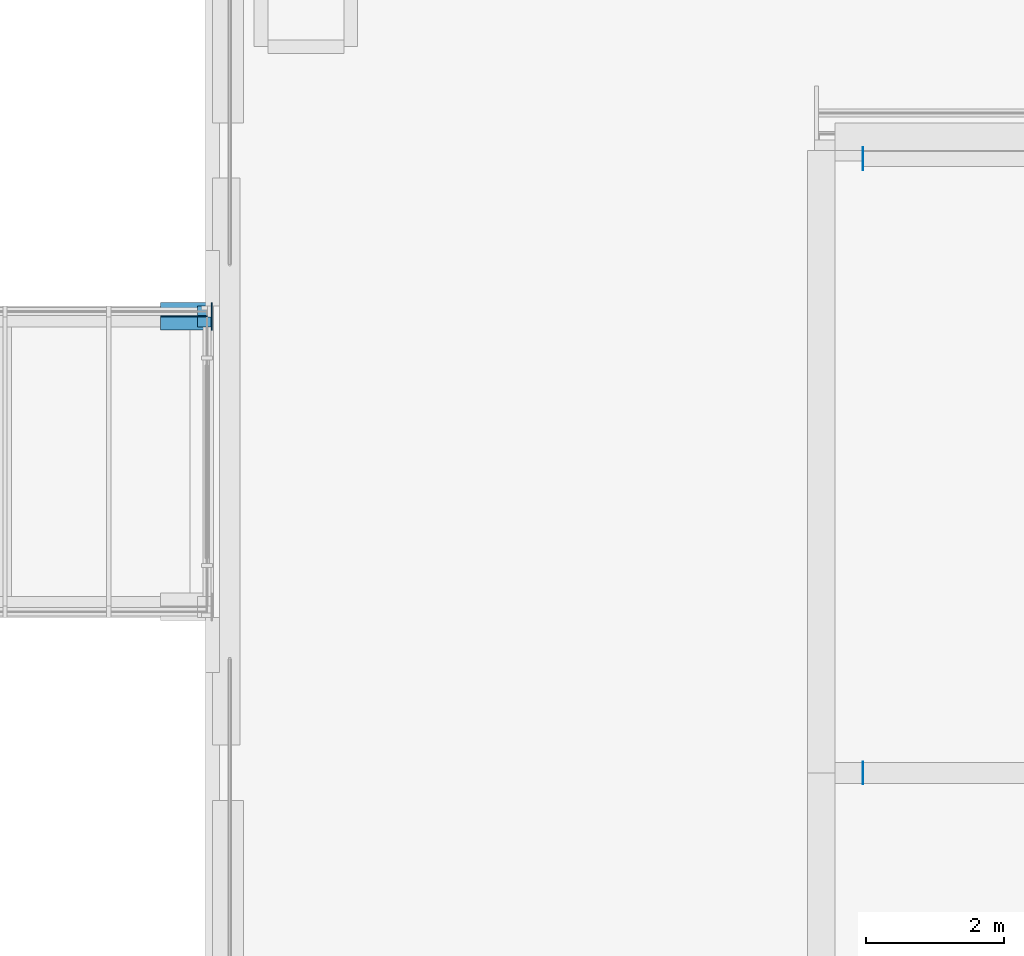
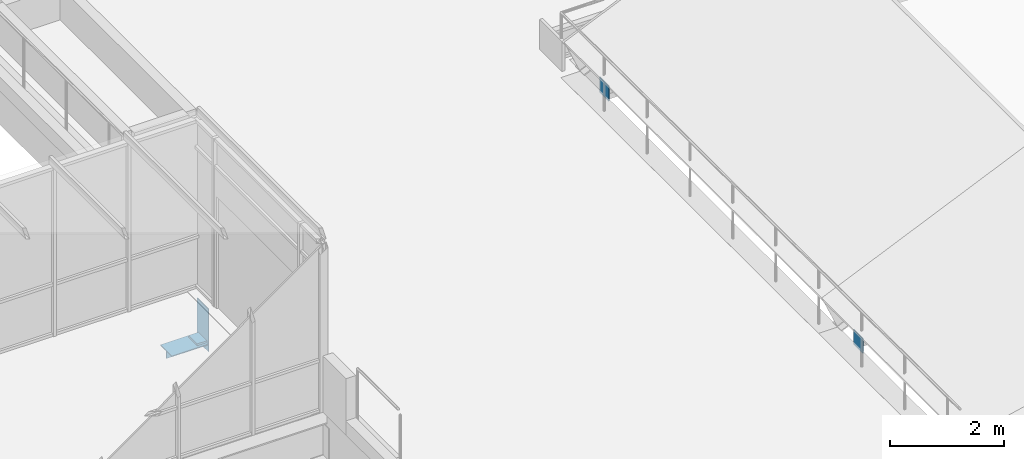
# One storey, part 91 of 106: 6 discrete accessories.
"""IFC4 building model written with IfcOpenShell, lengths in metres."""

from ifc_helpers import new_model, si_unit, direction, frame, origin, origin_2d, place, context, subcontext, project, spatial, rectangle, extrude, material, layer, layer_set, material_profile, profile_set, type_object, element, save


model = new_model("IFC4")

# Units and contexts
model_context = context("Model", 3, precision=1e-05, world=origin(), true_north=direction((0.0, 1.0)))
body_context = subcontext(model_context, "Body", "Model", "MODEL_VIEW")
ifc_project = project(units=[si_unit("LENGTHUNIT", "METRE"), si_unit("AREAUNIT", "SQUARE_METRE"), si_unit("VOLUMEUNIT", "CUBIC_METRE"), si_unit("PLANEANGLEUNIT", "RADIAN"), si_unit("MASSUNIT", "GRAM", prefix="KILO")], contexts=[model_context])

# Site, building, storey
site_placement = place(None, origin())
site = spatial("IfcSite", under=ifc_project, at=site_placement, CompositionType="ELEMENT")
building_placement = place(site_placement, origin())
building = spatial("IfcBuilding", under=site, at=building_placement, Name="Guidao Yard Department Store", CompositionType="ELEMENT")
storey_placement = place(building_placement, frame((0.0, 0.0, 10.5)))
storey = spatial("IfcBuildingStorey", under=building, at=storey_placement, Name="L02", CompositionType="ELEMENT", Elevation=10.5)

# Discrete accessories
ifc_material_1 = material(Name="Steel Q355B", Category="steel")
ifc_layer_1 = layer(ifc_material_1, 0.014892578125)
ifc_layer_set_1 = layer_set([ifc_layer_1], Name="Bridge girder back plate SB1 steel")
discrete_accessory_type_1 = type_object("IfcDiscreteAccessoryType", Name="Bridge girder back plate SB1 steel", PredefinedType="BRACKET", material=ifc_layer_set_1)
discrete_accessory_1_placement = place(storey_placement, frame((116.992431640625, 87.60009765625, -1.259765625), z_axis=(0.0, 0.0, 1.0), x_axis=(1.0, 0.0, 0.0)))
element("IfcDiscreteAccessory", 1, at=discrete_accessory_1_placement, inside=storey, type_object=discrete_accessory_type_1, Name="Bridge girder back plate BR08N S", PredefinedType="BRACKET", context=body_context, shape_type="SweptSolid", body=[
    extrude(rectangle(XDim=0.014892578125, YDim=0.39990234375, at=origin_2d()), origin(), (0.0, 0.0, 1.0), 0.909912109375),
])
ifc_material_2 = material(Name="Steel Q355B", Category="steel")
ifc_layer_2 = layer(ifc_material_2, 0.02001953125)
ifc_layer_set_2 = layer_set([ifc_layer_2], Name="Bridge girder seat plate SP1 steel 750")
discrete_accessory_type_2 = type_object("IfcDiscreteAccessoryType", Name="Bridge girder seat plate SP1 steel 750", PredefinedType="BRACKET", material=ifc_layer_set_2)
discrete_accessory_2_placement = place(storey_placement, frame((116.617431640625, 87.60009765625, -1.110107421875), z_axis=(0.0, 0.0, 1.0), x_axis=(1.0, 0.0, 0.0)))
element("IfcDiscreteAccessory", 2, at=discrete_accessory_2_placement, inside=storey, type_object=discrete_accessory_type_2, Name="Bridge girder seat plate BR08N S", PredefinedType="BRACKET", context=body_context, shape_type="SweptSolid", body=[
    extrude(rectangle(XDim=0.735107421875, YDim=0.39990234375, at=origin_2d()), origin(), (0.0, 0.0, 1.0), 0.02001953125),
])
ifc_material_3 = material(Name="Steel Q355B", Category="steel")
ifc_layer_3 = layer(ifc_material_3, 0.01611328125)
ifc_layer_set_3 = layer_set([ifc_layer_3], Name="Bridge girder seat rib SR1 steel 16")
discrete_accessory_type_3 = type_object("IfcDiscreteAccessoryType", Name="Bridge girder seat rib SR1 steel 16", PredefinedType="BRACKET", material=ifc_layer_set_3)
discrete_accessory_3_placement = place(storey_placement, frame((116.610107421875, 87.60009765625, -1.260009765625), z_axis=(0.0, 0.0, 1.0), x_axis=(1.0, 0.0, 0.0)))
element("IfcDiscreteAccessory", 3, at=discrete_accessory_3_placement, inside=storey, type_object=discrete_accessory_type_3, Name="Bridge girder seat rib BR08N S", PredefinedType="BRACKET", context=body_context, shape_type="SweptSolid", body=[
    extrude(rectangle(XDim=0.719970703125, YDim=0.01611328125, at=origin_2d()), origin(), (0.0, 0.0, 1.0), 0.14990234375),
])
ifc_material_4 = material(Name="Steel Q355B", Category="steel")
ifc_layer_4 = layer(ifc_material_4, 0.0400390625)
ifc_layer_set_4 = layer_set([ifc_layer_4], Name="Bridge girder sliding bearing BS1 PTFE on steel")
discrete_accessory_type_4 = type_object("IfcDiscreteAccessoryType", Name="Bridge girder sliding bearing BS1 PTFE on steel", PredefinedType="SHOE", material=ifc_layer_set_4)
discrete_accessory_4_placement = place(storey_placement, frame((116.885009765625, 87.60009765625, -1.090087890625), z_axis=(0.0, 0.0, 1.0), x_axis=(1.0, 0.0, 0.0)))
element("IfcDiscreteAccessory", 4, at=discrete_accessory_4_placement, inside=storey, type_object=discrete_accessory_type_4, Name="Bridge girder sliding bearing BR08N", PredefinedType="SHOE", context=body_context, shape_type="SweptSolid", body=[
    extrude(rectangle(XDim=0.199951171875, YDim=0.300048828125, at=origin_2d()), origin(), (0.0, 0.0, 1.0), 0.0400390625),
])
ifc_material_5 = material(Name="Steel Q355B", Category="steel")
ifc_material_profile = material_profile(ifc_material_5, rectangle(XDim=0.327880859375, YDim=0.011962890625, at=origin_2d()), Name="Node plate 328x12")
ifc_profile_set = profile_set([ifc_material_profile], Name="Steel Q355B")
discrete_accessory_type_5 = type_object("IfcDiscreteAccessoryType", Name="Tie end plate NP3 328 steel", PredefinedType="BRACKET", material=ifc_profile_set)
discrete_accessory_5_placement = place(storey_placement, frame((126.406005859375, 80.8359375, -0.449951171875), z_axis=(0.0, 1.0, 0.0), x_axis=(0.0, 0.0, 1.0)))
element("IfcDiscreteAccessory", 5, at=discrete_accessory_5_placement, inside=storey, type_object=discrete_accessory_type_5, Name="Tie end plate F04L", PredefinedType="BRACKET", context=body_context, shape_type="SweptSolid", body=[
    extrude(rectangle(XDim=0.327880859375, YDim=0.011962890625, at=origin_2d()), origin(), (0.0, 0.0, 1.0), 0.328125),
])
discrete_accessory_6_placement = place(storey_placement, frame((126.406005859375, 89.716064453125, -0.449951171875), z_axis=(0.0, 1.0, 0.0), x_axis=(0.0, 0.0, 1.0)))
element("IfcDiscreteAccessory", 6, at=discrete_accessory_6_placement, inside=storey, type_object=discrete_accessory_type_5, Name="Tie end plate F05-1L", PredefinedType="BRACKET", context=body_context, shape_type="SweptSolid", body=[
    extrude(rectangle(XDim=0.327880859375, YDim=0.011962890625, at=origin_2d()), origin(), (0.0, 0.0, 1.0), 0.327880859375),
])

save(model, "model.ifc")
